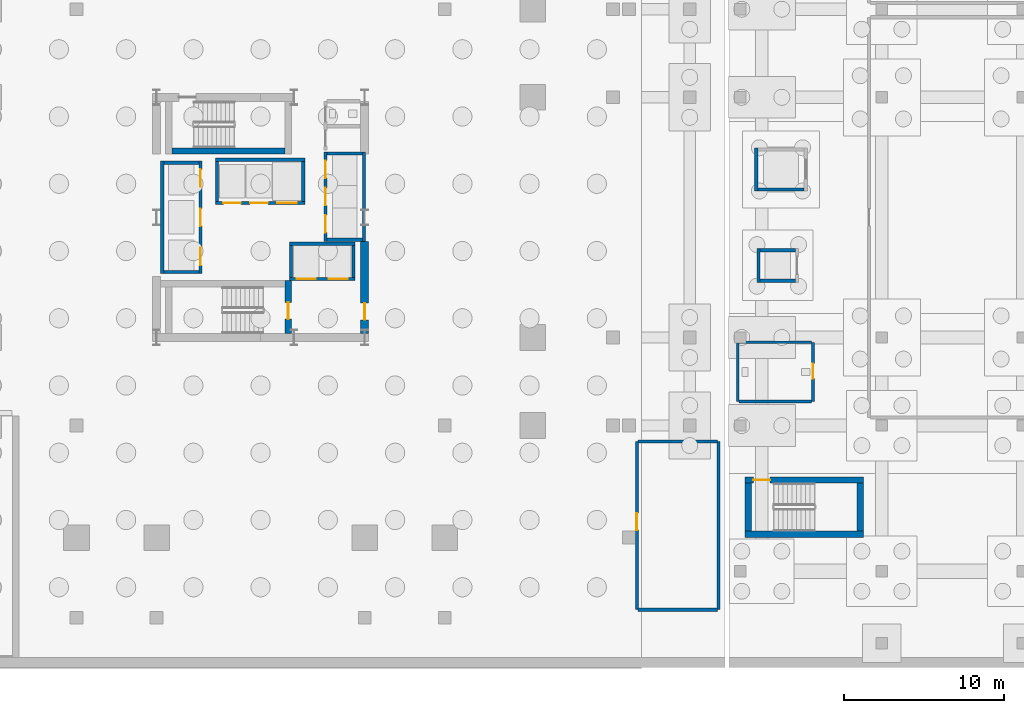
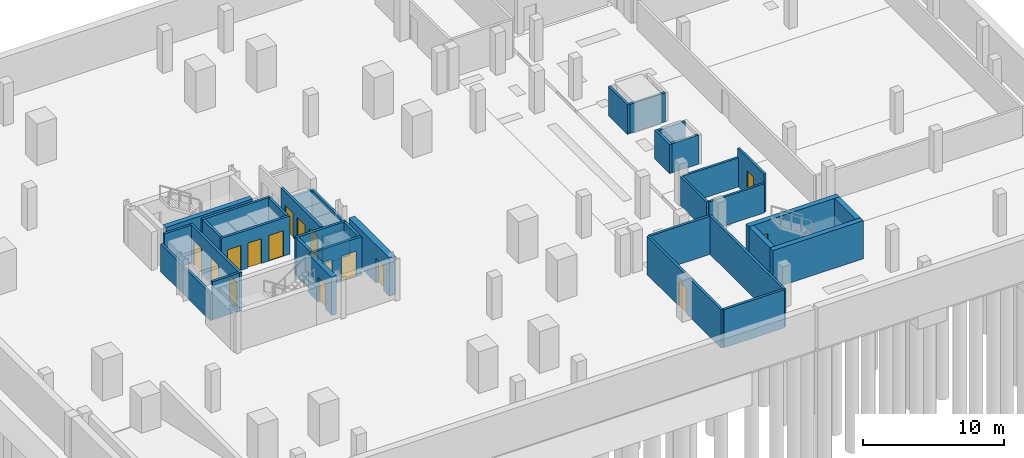
# One storey, part 5 of 13: 36 walls, 16 doors, 16 openings.
"""IFC4 building model written with IfcOpenShell, lengths in metres."""

from ifc_helpers import new_model, si_unit, direction, frame, frame_2d, origin, place, context, subcontext, project, spatial, rectangle, extrude, material, layer, layer_set, type_object, element, fill, save


model = new_model("IFC4")

# Units and contexts
model_context = context("Model", 3, precision=1e-05, world=origin(), true_north=direction((0.0, 1.0)))
body_context = subcontext(model_context, "Body", "Model", "MODEL_VIEW")
ifc_project = project(units=[si_unit("LENGTHUNIT", "METRE"), si_unit("AREAUNIT", "SQUARE_METRE"), si_unit("VOLUMEUNIT", "CUBIC_METRE"), si_unit("PLANEANGLEUNIT", "RADIAN"), si_unit("MASSUNIT", "GRAM", prefix="KILO")], contexts=[model_context])

# Site, building, storey
site_placement = place(None, origin())
site = spatial("IfcSite", under=ifc_project, at=site_placement, CompositionType="ELEMENT")
building_placement = place(site_placement, origin())
building = spatial("IfcBuilding", under=site, at=building_placement, Name="Barlavira Tower and Art Museum", CompositionType="ELEMENT")
storey_placement = place(building_placement, frame((0.0, 0.0, -7.199951171875)))
storey = spatial("IfcBuildingStorey", under=building, at=storey_placement, Name="B02", CompositionType="ELEMENT", Elevation=-7.199951171875)

# Wall, opening, door
ifc_material_1 = material(Name="Concrete C60", Category="concrete")
ifc_layer_1 = layer(ifc_material_1, 0.5, Name="Concrete C60")
ifc_layer_set_1 = layer_set([ifc_layer_1], Name="Concrete C60")
wall_type_1 = type_object("IfcWallType", Name="Core Structural Shear Wall 500 Concrete C60", PredefinedType="SHEAR", material=ifc_layer_set_1)
wall_1_placement = place(storey_placement, frame((6.5, -7.25, 0.0), z_axis=(0.0, 0.0, 1.0), x_axis=(0.0, 1.0, 0.0)))
wall_1 = element("IfcWall", 1, at=wall_1_placement, inside=storey, type_object=wall_type_1, Name="B02 Core Shear Wall CS-E1", PredefinedType="SHEAR", context=body_context, shape_type="SweptSolid", body=[
    extrude(rectangle(XDim=5.75, YDim=0.5, at=frame_2d((2.875, 0.0))), origin(), (0.0, 0.0, 1.0), 3.300048828125),
])
opening_1_placement = place(wall_1_placement, frame((0.85009765625, 0.0, 0.0)))
opening_1 = element("IfcOpeningElement", 2, at=opening_1_placement, cuts=wall_1, Name="Opening FD-90", PredefinedType="OPENING", context=body_context, shape_type="SweptSolid", body=[
    extrude(rectangle(XDim=1.050048828125, YDim=2.14990234375, at=frame_2d((0.52490234375, 1.074951171875))), frame((0.0, 0.260009765625, 0.0), z_axis=(0.0, -1.0, 0.0), x_axis=(1.0, 0.0, 0.0)), (0.0, 0.0, 1.0), 0.52001953125),
])
ifc_material_2 = material(Name="Brushed stainless steel", Category="steel")
door_type_1 = type_object("IfcDoorType", Name="Stair and Refuge Fire Door 1050x2150 FD90S", OperationType="NOTDEFINED", PredefinedType="DOOR", material=ifc_material_2)
door_1_placement = place(opening_1_placement, origin())
door_1 = element("IfcDoor", 3, at=door_1_placement, inside=storey, type_object=door_type_1, Name="B02 Firefighting Lobby Entry Fire Door", OperationType="SINGLE_SWING_LEFT", OverallHeight=2.14990234375, OverallWidth=1.050048828125, PredefinedType="DOOR", context=body_context, shape_type="SweptSolid", body=[
    extrude(rectangle(XDim=1.050048828125, YDim=2.14990234375, at=frame_2d((0.52490234375, 1.074951171875))), frame((0.0, 0.02490234375, 0.0), z_axis=(0.0, -1.0, 0.0), x_axis=(1.0, 0.0, 0.0)), (0.0, 0.0, 1.0), 0.050048828125),
])
fill(opening_1, door_1)

# Wall, openings, doors
ifc_material_3 = material(Name="Autoclaved aerated concrete masonry", Category="masonry")
ifc_layer_2 = layer(ifc_material_3, 0.199951171875, Name="Autoclaved aerated concrete masonry")
ifc_layer_set_2 = layer_set([ifc_layer_2], Name="Autoclaved aerated concrete masonry")
wall_type_2 = type_object("IfcWallType", Name="Fire Compartment and Shaft Wall 200", PredefinedType="SOLIDWALL", material=ifc_layer_set_2)
wall_2_placement = place(storey_placement, frame((-3.75, -3.510009765625, 0.0), z_axis=(0.0, 0.0, 1.0), x_axis=(0.0, 1.0, 0.0)))
wall_2 = element("IfcWall", 4, at=wall_2_placement, inside=storey, type_object=wall_type_2, Name="B02 Low-Rise Lift Front Shaft Wall", PredefinedType="SOLIDWALL", context=body_context, shape_type="SweptSolid", body=[
    extrude(rectangle(XDim=7.02001953125, YDim=0.199951171875, at=frame_2d((3.510009765625, 0.0))), origin(), (0.0, 0.0, 1.0), 3.300048828125),
])
opening_2_placement = place(wall_2_placement, frame((0.510009765625, 0.0, 0.0)))
opening_2 = element("IfcOpeningElement", 5, at=opening_2_placement, cuts=wall_2, Name="Opening LD-P", PredefinedType="OPENING", context=body_context, shape_type="SweptSolid", body=[
    extrude(rectangle(XDim=1.10009765625, YDim=2.14990234375, at=frame_2d((0.550048828125, 1.074951171875))), frame((0.0, 0.10986328125, 0.0), z_axis=(0.0, -1.0, 0.0), x_axis=(1.0, 0.0, 0.0)), (0.0, 0.0, 1.0), 0.219970703125),
])
opening_3_placement = place(wall_2_placement, frame((2.9599609375, 0.0, 0.0)))
opening_3 = element("IfcOpeningElement", 6, at=opening_3_placement, cuts=wall_2, Name="Opening LD-P", PredefinedType="OPENING", context=body_context, shape_type="SweptSolid", body=[
    extrude(rectangle(XDim=1.10009765625, YDim=2.14990234375, at=frame_2d((0.550048828125, 1.074951171875))), frame((0.0, 0.10986328125, 0.0), z_axis=(0.0, -1.0, 0.0), x_axis=(1.0, 0.0, 0.0)), (0.0, 0.0, 1.0), 0.219970703125),
])
opening_4_placement = place(wall_2_placement, frame((5.409912109375, 0.0, 0.0)))
opening_4 = element("IfcOpeningElement", 7, at=opening_4_placement, cuts=wall_2, Name="Opening LD-P", PredefinedType="OPENING", context=body_context, shape_type="SweptSolid", body=[
    extrude(rectangle(XDim=1.10009765625, YDim=2.14990234375, at=frame_2d((0.550048828125, 1.074951171875))), frame((0.0, 0.10986328125, 0.0), z_axis=(0.0, -1.0, 0.0), x_axis=(1.0, 0.0, 0.0)), (0.0, 0.0, 1.0), 0.219970703125),
])
door_type_2 = type_object("IfcDoorType", Name="Passenger Lift Sliding Landing Door 1100x2150 FD60", OperationType="NOTDEFINED", PredefinedType="DOOR", material=ifc_material_2)
door_2_placement = place(opening_2_placement, origin())
door_2 = element("IfcDoor", 8, at=door_2_placement, inside=storey, type_object=door_type_2, Name="B02 Lift PL1 Sliding Landing Door", OperationType="DOUBLE_DOOR_SLIDING", OverallHeight=2.14990234375, OverallWidth=1.10009765625, PredefinedType="DOOR", context=body_context, shape_type="SweptSolid", body=[
    extrude(rectangle(XDim=1.10009765625, YDim=2.14990234375, at=frame_2d((0.550048828125, 1.074951171875))), frame((0.0, 0.02490234375, 0.0), z_axis=(0.0, -1.0, 0.0), x_axis=(1.0, 0.0, 0.0)), (0.0, 0.0, 1.0), 0.050048828125),
])
fill(opening_2, door_2)
door_3_placement = place(opening_3_placement, origin())
door_3 = element("IfcDoor", 9, at=door_3_placement, inside=storey, type_object=door_type_2, Name="B02 Lift PL2 Sliding Landing Door", OperationType="DOUBLE_DOOR_SLIDING", OverallHeight=2.14990234375, OverallWidth=1.10009765625, PredefinedType="DOOR", context=body_context, shape_type="SweptSolid", body=[
    extrude(rectangle(XDim=1.10009765625, YDim=2.14990234375, at=frame_2d((0.550048828125, 1.074951171875))), frame((0.0, 0.02490234375, 0.0), z_axis=(0.0, -1.0, 0.0), x_axis=(1.0, 0.0, 0.0)), (0.0, 0.0, 1.0), 0.050048828125),
])
fill(opening_3, door_3)
door_4_placement = place(opening_4_placement, origin())
door_4 = element("IfcDoor", 10, at=door_4_placement, inside=storey, type_object=door_type_2, Name="B02 Lift PL3 Sliding Landing Door", OperationType="DOUBLE_DOOR_SLIDING", OverallHeight=2.14990234375, OverallWidth=1.10009765625, PredefinedType="DOOR", context=body_context, shape_type="SweptSolid", body=[
    extrude(rectangle(XDim=1.10009765625, YDim=2.14990234375, at=frame_2d((0.550048828125, 1.074951171875))), frame((0.0, 0.02490234375, 0.0), z_axis=(0.0, -1.0, 0.0), x_axis=(1.0, 0.0, 0.0)), (0.0, 0.0, 1.0), 0.050048828125),
])
fill(opening_4, door_4)

# Walls
wall_3_placement = place(storey_placement, frame((-6.14990234375, -3.510009765625, 0.0), z_axis=(0.0, 0.0, 1.0), x_axis=(0.0, 1.0, 0.0)))
element("IfcWall", 11, at=wall_3_placement, inside=storey, type_object=wall_type_2, Name="B02 Low-Rise Lift Back Shaft Wall", PredefinedType="SOLIDWALL", context=body_context, shape_type="SweptSolid", body=[
    extrude(rectangle(XDim=7.02001953125, YDim=0.199951171875, at=frame_2d((3.510009765625, 0.0))), origin(), (0.0, 0.0, 1.0), 2.385009765625),
])
for number, where, z_axis, x_axis, name in (
    (12, (-6.050048828125, -3.409912109375, 0.0), (0.0, 0.0, 1.0), (1.0, 0.0, 0.0), "B02 Low-Rise Lift South Shaft Wall"),
    (13, (-6.050048828125, 3.409912109375, 0.0), (0.0, 0.0, 1.0), (1.0, 0.0, 0.0), "B02 Low-Rise Lift North Shaft Wall"),
):
    element("IfcWall", number, at=place(storey_placement, frame(where, z_axis=z_axis, x_axis=x_axis)), inside=storey, type_object=wall_type_2, Name=name, PredefinedType="SOLIDWALL", context=body_context, shape_type="SweptSolid", body=[
        extrude(rectangle(XDim=2.199951171875, YDim=0.199951171875, at=frame_2d((1.10009765625, 0.0))), origin(), (0.0, 0.0, 1.0), 3.300048828125),
    ])

# Wall, openings, doors
wall_4_placement = place(storey_placement, frame((4.050048828125, -1.489990234375, 0.0), z_axis=(0.0, 0.0, 1.0), x_axis=(0.0, 1.0, 0.0)))
wall_4 = element("IfcWall", 14, at=wall_4_placement, inside=storey, type_object=wall_type_2, Name="B02 Mid-Rise Lift Front Shaft Wall", PredefinedType="SOLIDWALL", context=body_context, shape_type="SweptSolid", body=[
    extrude(rectangle(XDim=5.580078125, YDim=0.199951171875, at=frame_2d((2.7900390625, 0.0))), origin(), (0.0, 0.0, 1.0), 3.300048828125),
])
opening_5_placement = place(wall_4_placement, frame((0.5400390625, 0.0, 0.0)))
opening_5 = element("IfcOpeningElement", 15, at=opening_5_placement, cuts=wall_4, Name="Opening LD-P", PredefinedType="OPENING", context=body_context, shape_type="SweptSolid", body=[
    extrude(rectangle(XDim=1.10009765625, YDim=2.14990234375, at=frame_2d((0.550048828125, 1.074951171875))), frame((0.0, 0.10986328125, 0.0), z_axis=(0.0, -1.0, 0.0), x_axis=(1.0, 0.0, 0.0)), (0.0, 0.0, 1.0), 0.219970703125),
])
opening_6_placement = place(wall_4_placement, frame((2.239990234375, 0.0, 0.0)))
opening_6 = element("IfcOpeningElement", 16, at=opening_6_placement, cuts=wall_4, Name="Opening LD-P", PredefinedType="OPENING", context=body_context, shape_type="SweptSolid", body=[
    extrude(rectangle(XDim=1.10009765625, YDim=2.14990234375, at=frame_2d((0.550048828125, 1.074951171875))), frame((0.0, 0.10986328125, 0.0), z_axis=(0.0, -1.0, 0.0), x_axis=(1.0, 0.0, 0.0)), (0.0, 0.0, 1.0), 0.219970703125),
])
opening_7_placement = place(wall_4_placement, frame((3.93994140625, 0.0, 0.0)))
opening_7 = element("IfcOpeningElement", 17, at=opening_7_placement, cuts=wall_4, Name="Opening LD-P", PredefinedType="OPENING", context=body_context, shape_type="SweptSolid", body=[
    extrude(rectangle(XDim=1.10009765625, YDim=2.14990234375, at=frame_2d((0.550048828125, 1.074951171875))), frame((0.0, 0.10986328125, 0.0), z_axis=(0.0, -1.0, 0.0), x_axis=(1.0, 0.0, 0.0)), (0.0, 0.0, 1.0), 0.219970703125),
])
door_5_placement = place(opening_5_placement, origin())
door_5 = element("IfcDoor", 18, at=door_5_placement, inside=storey, type_object=door_type_2, Name="B02 Lift PM1 Sliding Landing Door", OperationType="DOUBLE_DOOR_SLIDING", OverallHeight=2.14990234375, OverallWidth=1.10009765625, PredefinedType="DOOR", context=body_context, shape_type="SweptSolid", body=[
    extrude(rectangle(XDim=1.10009765625, YDim=2.14990234375, at=frame_2d((0.550048828125, 1.074951171875))), frame((0.0, 0.02490234375, 0.0), z_axis=(0.0, -1.0, 0.0), x_axis=(1.0, 0.0, 0.0)), (0.0, 0.0, 1.0), 0.050048828125),
])
fill(opening_5, door_5)
door_6_placement = place(opening_6_placement, origin())
door_6 = element("IfcDoor", 19, at=door_6_placement, inside=storey, type_object=door_type_2, Name="B02 Lift PM2 Sliding Landing Door", OperationType="DOUBLE_DOOR_SLIDING", OverallHeight=2.14990234375, OverallWidth=1.10009765625, PredefinedType="DOOR", context=body_context, shape_type="SweptSolid", body=[
    extrude(rectangle(XDim=1.10009765625, YDim=2.14990234375, at=frame_2d((0.550048828125, 1.074951171875))), frame((0.0, 0.02490234375, 0.0), z_axis=(0.0, -1.0, 0.0), x_axis=(1.0, 0.0, 0.0)), (0.0, 0.0, 1.0), 0.050048828125),
])
fill(opening_6, door_6)
door_7_placement = place(opening_7_placement, origin())
door_7 = element("IfcDoor", 20, at=door_7_placement, inside=storey, type_object=door_type_2, Name="B02 Lift PM3 Sliding Landing Door", OperationType="DOUBLE_DOOR_SLIDING", OverallHeight=2.14990234375, OverallWidth=1.10009765625, PredefinedType="DOOR", context=body_context, shape_type="SweptSolid", body=[
    extrude(rectangle(XDim=1.10009765625, YDim=2.14990234375, at=frame_2d((0.550048828125, 1.074951171875))), frame((0.0, 0.02490234375, 0.0), z_axis=(0.0, -1.0, 0.0), x_axis=(1.0, 0.0, 0.0)), (0.0, 0.0, 1.0), 0.050048828125),
])
fill(opening_7, door_7)

# Walls
wall_5_placement = place(storey_placement, frame((6.449951171875, -1.489990234375, 0.0), z_axis=(0.0, 0.0, 1.0), x_axis=(0.0, 1.0, 0.0)))
element("IfcWall", 21, at=wall_5_placement, inside=storey, type_object=wall_type_2, Name="B02 Mid-Rise Lift Back Shaft Wall", PredefinedType="SOLIDWALL", context=body_context, shape_type="SweptSolid", body=[
    extrude(rectangle(XDim=5.580078125, YDim=0.199951171875, at=frame_2d((2.7900390625, 0.0))), origin(), (0.0, 0.0, 1.0), 2.385009765625),
])
for number, where, z_axis, x_axis, name in (
    (22, (4.14990234375, -1.389892578125, 0.0), (0.0, 0.0, 1.0), (1.0, 0.0, 0.0), "B02 Mid-Rise Lift South Shaft Wall"),
    (23, (4.14990234375, 3.989990234375, 0.0), (0.0, 0.0, 1.0), (1.0, 0.0, 0.0), "B02 Mid-Rise Lift North Shaft Wall"),
):
    element("IfcWall", number, at=place(storey_placement, frame(where, z_axis=z_axis, x_axis=x_axis)), inside=storey, type_object=wall_type_2, Name=name, PredefinedType="SOLIDWALL", context=body_context, shape_type="SweptSolid", body=[
        extrude(rectangle(XDim=2.2001953125, YDim=0.199951171875, at=frame_2d((1.10009765625, 0.0))), origin(), (0.0, 0.0, 1.0), 2.385009765625),
    ])

# Wall, openings, doors
wall_6_placement = place(storey_placement, frame((-2.820068359375, 0.89990234375, 0.0), z_axis=(0.0, 0.0, 1.0), x_axis=(1.0, 0.0, 0.0)))
wall_6 = element("IfcWall", 24, at=wall_6_placement, inside=storey, type_object=wall_type_2, Name="B02 High-Rise & Service Lift Front Wall", PredefinedType="SOLIDWALL", context=body_context, shape_type="SweptSolid", body=[
    extrude(rectangle(XDim=5.580078125, YDim=0.199951171875, at=frame_2d((2.7900390625, 0.0))), origin(), (0.0, 0.0, 1.0), 3.300048828125),
])
opening_8_placement = place(wall_6_placement, frame((0.489990234375, 0.0, 0.0)))
opening_8 = element("IfcOpeningElement", 25, at=opening_8_placement, cuts=wall_6, Name="Opening LD-P", PredefinedType="OPENING", context=body_context, shape_type="SweptSolid", body=[
    extrude(rectangle(XDim=1.10009765625, YDim=2.14990234375, at=frame_2d((0.550048828125, 1.074951171875))), frame((0.0, 0.10986328125, 0.0), z_axis=(0.0, -1.0, 0.0), x_axis=(1.0, 0.0, 0.0)), (0.0, 0.0, 1.0), 0.219970703125),
])
opening_9_placement = place(wall_6_placement, frame((2.169921875, 0.0, 0.0)))
opening_9 = element("IfcOpeningElement", 26, at=opening_9_placement, cuts=wall_6, Name="Opening LD-P", PredefinedType="OPENING", context=body_context, shape_type="SweptSolid", body=[
    extrude(rectangle(XDim=1.10009765625, YDim=2.14990234375, at=frame_2d((0.550048828125, 1.074951171875))), frame((0.0, 0.10986328125, 0.0), z_axis=(0.0, -1.0, 0.0), x_axis=(1.0, 0.0, 0.0)), (0.0, 0.0, 1.0), 0.219970703125),
])
opening_10_placement = place(wall_6_placement, frame((3.860107421875, 0.0, 0.0)))
opening_10 = element("IfcOpeningElement", 27, at=opening_10_placement, cuts=wall_6, Name="Opening LD-F", PredefinedType="OPENING", context=body_context, shape_type="SweptSolid", body=[
    extrude(rectangle(XDim=1.199951171875, YDim=2.199951171875, at=frame_2d((0.60009765625, 1.10009765625))), frame((0.0, 0.10986328125, 0.0), z_axis=(0.0, -1.0, 0.0), x_axis=(1.0, 0.0, 0.0)), (0.0, 0.0, 1.0), 0.219970703125),
])
door_type_3 = type_object("IfcDoorType", Name="Firefighting and Service Lift Sliding Door 1200x2200 FD120", OperationType="NOTDEFINED", PredefinedType="DOOR", material=ifc_material_2)
door_8_placement = place(opening_10_placement, origin())
door_8 = element("IfcDoor", 28, at=door_8_placement, inside=storey, type_object=door_type_3, Name="B02 Stretcher Service Lift SL1 Sliding Door", OperationType="DOUBLE_DOOR_SLIDING", OverallHeight=2.199951171875, OverallWidth=1.199951171875, PredefinedType="DOOR", context=body_context, shape_type="SweptSolid", body=[
    extrude(rectangle(XDim=1.199951171875, YDim=2.199951171875, at=frame_2d((0.60009765625, 1.10009765625))), frame((0.0, 0.02490234375, 0.0), z_axis=(0.0, -1.0, 0.0), x_axis=(1.0, 0.0, 0.0)), (0.0, 0.0, 1.0), 0.050048828125),
])
fill(opening_10, door_8)
door_9_placement = place(opening_8_placement, origin())
door_9 = element("IfcDoor", 29, at=door_9_placement, inside=storey, type_object=door_type_2, Name="B02 Lift PH1 Sliding Landing Door", OperationType="DOUBLE_DOOR_SLIDING", OverallHeight=2.14990234375, OverallWidth=1.10009765625, PredefinedType="DOOR", context=body_context, shape_type="SweptSolid", body=[
    extrude(rectangle(XDim=1.10009765625, YDim=2.14990234375, at=frame_2d((0.550048828125, 1.074951171875))), frame((0.0, 0.02490234375, 0.0), z_axis=(0.0, -1.0, 0.0), x_axis=(1.0, 0.0, 0.0)), (0.0, 0.0, 1.0), 0.050048828125),
])
fill(opening_8, door_9)
door_10_placement = place(opening_9_placement, origin())
door_10 = element("IfcDoor", 30, at=door_10_placement, inside=storey, type_object=door_type_2, Name="B02 Lift PH2 Sliding Landing Door", OperationType="DOUBLE_DOOR_SLIDING", OverallHeight=2.14990234375, OverallWidth=1.10009765625, PredefinedType="DOOR", context=body_context, shape_type="SweptSolid", body=[
    extrude(rectangle(XDim=1.10009765625, YDim=2.14990234375, at=frame_2d((0.550048828125, 1.074951171875))), frame((0.0, 0.02490234375, 0.0), z_axis=(0.0, -1.0, 0.0), x_axis=(1.0, 0.0, 0.0)), (0.0, 0.0, 1.0), 0.050048828125),
])
fill(opening_9, door_10)

# Walls
wall_7_placement = place(storey_placement, frame((-2.820068359375, 3.60009765625, 0.0), z_axis=(0.0, 0.0, 1.0), x_axis=(1.0, 0.0, 0.0)))
element("IfcWall", 31, at=wall_7_placement, inside=storey, type_object=wall_type_2, Name="B02 High-Rise & Service Lift Back Wall", PredefinedType="SOLIDWALL", context=body_context, shape_type="SweptSolid", body=[
    extrude(rectangle(XDim=5.580078125, YDim=0.199951171875, at=frame_2d((2.7900390625, 0.0))), origin(), (0.0, 0.0, 1.0), 3.300048828125),
])
for number, where, z_axis, x_axis, name in (
    (32, (-2.719970703125, 1.0, 0.0), (0.0, 0.0, 1.0), (0.0, 1.0, 0.0), "B02 High-Rise & Service Lift West Wall"),
    (33, (2.659912109375, 1.0, 0.0), (0.0, 0.0, 1.0), (0.0, 1.0, 0.0), "B02 High-Rise & Service Lift East Wall"),
):
    element("IfcWall", number, at=place(storey_placement, frame(where, z_axis=z_axis, x_axis=x_axis)), inside=storey, type_object=wall_type_2, Name=name, PredefinedType="SOLIDWALL", context=body_context, shape_type="SweptSolid", body=[
        extrude(rectangle(XDim=2.5, YDim=0.199951171875, at=frame_2d((1.25, 0.0))), origin(), (0.0, 0.0, 1.0), 3.300048828125),
    ])

# Wall, openings, doors
wall_8_placement = place(storey_placement, frame((1.800048828125, -3.85009765625, 0.0), z_axis=(0.0, 0.0, 1.0), x_axis=(1.0, 0.0, 0.0)))
wall_8 = element("IfcWall", 34, at=wall_8_placement, inside=storey, type_object=wall_type_2, Name="B02 Firefighting Lift Front Shaft Wall", PredefinedType="SOLIDWALL", context=body_context, shape_type="SweptSolid", body=[
    extrude(rectangle(XDim=4.099853515625, YDim=0.199951171875, at=frame_2d((2.0498046875, 0.0))), origin(), (0.0, 0.0, 1.0), 3.300048828125),
])
opening_11_placement = place(wall_8_placement, frame((0.449951171875, 0.0, 0.0)))
opening_11 = element("IfcOpeningElement", 35, at=opening_11_placement, cuts=wall_8, Name="Opening LD-F", PredefinedType="OPENING", context=body_context, shape_type="SweptSolid", body=[
    extrude(rectangle(XDim=1.199951171875, YDim=2.199951171875, at=frame_2d((0.60009765625, 1.10009765625))), frame((0.0, 0.10986328125, 0.0), z_axis=(0.0, -1.0, 0.0), x_axis=(1.0, 0.0, 0.0)), (0.0, 0.0, 1.0), 0.219970703125),
])
opening_12_placement = place(wall_8_placement, frame((2.449951171875, 0.0, 0.0)))
opening_12 = element("IfcOpeningElement", 36, at=opening_12_placement, cuts=wall_8, Name="Opening LD-F", PredefinedType="OPENING", context=body_context, shape_type="SweptSolid", body=[
    extrude(rectangle(XDim=1.199951171875, YDim=2.199951171875, at=frame_2d((0.60009765625, 1.10009765625))), frame((0.0, 0.10986328125, 0.0), z_axis=(0.0, -1.0, 0.0), x_axis=(1.0, 0.0, 0.0)), (0.0, 0.0, 1.0), 0.219970703125),
])
door_11_placement = place(opening_11_placement, origin())
door_11 = element("IfcDoor", 37, at=door_11_placement, inside=storey, type_object=door_type_3, Name="B02 Firefighting Lift FF1 Sliding Door", OperationType="DOUBLE_DOOR_SLIDING", OverallHeight=2.199951171875, OverallWidth=1.199951171875, PredefinedType="DOOR", context=body_context, shape_type="SweptSolid", body=[
    extrude(rectangle(XDim=1.199951171875, YDim=2.199951171875, at=frame_2d((0.60009765625, 1.10009765625))), frame((0.0, 0.02490234375, 0.0), z_axis=(0.0, -1.0, 0.0), x_axis=(1.0, 0.0, 0.0)), (0.0, 0.0, 1.0), 0.050048828125),
])
fill(opening_11, door_11)
door_12_placement = place(opening_12_placement, origin())
door_12 = element("IfcDoor", 38, at=door_12_placement, inside=storey, type_object=door_type_3, Name="B02 Firefighting Lift FF2 Sliding Door", OperationType="DOUBLE_DOOR_SLIDING", OverallHeight=2.199951171875, OverallWidth=1.199951171875, PredefinedType="DOOR", context=body_context, shape_type="SweptSolid", body=[
    extrude(rectangle(XDim=1.199951171875, YDim=2.199951171875, at=frame_2d((0.60009765625, 1.10009765625))), frame((0.0, 0.02490234375, 0.0), z_axis=(0.0, -1.0, 0.0), x_axis=(1.0, 0.0, 0.0)), (0.0, 0.0, 1.0), 0.050048828125),
])
fill(opening_12, door_12)

# Walls
wall_9_placement = place(storey_placement, frame((1.800048828125, -1.64990234375, 0.0), z_axis=(0.0, 0.0, 1.0), x_axis=(1.0, 0.0, 0.0)))
element("IfcWall", 39, at=wall_9_placement, inside=storey, type_object=wall_type_2, Name="B02 Firefighting Lift Back Shaft Wall", PredefinedType="SOLIDWALL", context=body_context, shape_type="SweptSolid", body=[
    extrude(rectangle(XDim=4.099853515625, YDim=0.199951171875, at=frame_2d((2.0498046875, 0.0))), origin(), (0.0, 0.0, 1.0), 3.300048828125),
])
for number, where, z_axis, x_axis, name in (
    (40, (1.89990234375, -3.75, 0.0), (0.0, 0.0, 1.0), (0.0, 1.0, 0.0), "B02 Firefighting Lift West Shaft Wall"),
    (41, (5.800048828125, -3.75, 0.0), (0.0, 0.0, 1.0), (0.0, 1.0, 0.0), "B02 Firefighting Lift East Shaft Wall"),
):
    element("IfcWall", number, at=place(storey_placement, frame(where, z_axis=z_axis, x_axis=x_axis)), inside=storey, type_object=wall_type_2, Name=name, PredefinedType="SOLIDWALL", context=body_context, shape_type="SweptSolid", body=[
        extrude(rectangle(XDim=2.0, YDim=0.199951171875, at=frame_2d((1.0, 0.0))), origin(), (0.0, 0.0, 1.0), 3.300048828125),
    ])
wall_10_placement = place(storey_placement, frame((31.10009765625, -4.050048828125, 0.0), z_axis=(0.0, 0.0, 1.0), x_axis=(0.0, 1.0, 0.0)))
element("IfcWall", 42, at=wall_10_placement, inside=storey, type_object=wall_type_2, Name="B02 Museum Lift ML1 Back Wall", PredefinedType="SOLIDWALL", context=body_context, shape_type="SweptSolid", body=[
    extrude(rectangle(XDim=2.10009765625, YDim=0.199951171875, at=frame_2d((1.050048828125, 0.0))), origin(), (0.0, 0.0, 1.0), 2.516845703125),
])
for number, where, z_axis, x_axis, name in (
    (43, (31.199951171875, -3.949951171875, 0.0), (0.0, 0.0, 1.0), (1.0, 0.0, 0.0), "B02 Museum Lift ML1 South Wall"),
    (44, (31.199951171875, -2.050048828125, 0.0), (0.0, 0.0, 1.0), (1.0, 0.0, 0.0), "B02 Museum Lift ML1 North Wall"),
):
    element("IfcWall", number, at=place(storey_placement, frame(where, z_axis=z_axis, x_axis=x_axis)), inside=storey, type_object=wall_type_2, Name=name, PredefinedType="SOLIDWALL", context=body_context, shape_type="SweptSolid", body=[
        extrude(rectangle(XDim=2.199951171875, YDim=0.199951171875, at=frame_2d((1.10009765625, 0.0))), origin(), (0.0, 0.0, 1.0), 2.516845703125),
    ])
wall_11_placement = place(storey_placement, frame((30.949951171875, 1.64990234375, 0.0), z_axis=(0.0, 0.0, 1.0), x_axis=(0.0, 1.0, 0.0)))
element("IfcWall", 45, at=wall_11_placement, inside=storey, type_object=wall_type_2, Name="B02 Museum Lift MG1 Back Wall", PredefinedType="SOLIDWALL", context=body_context, shape_type="SweptSolid", body=[
    extrude(rectangle(XDim=2.7001953125, YDim=0.199951171875, at=frame_2d((1.35009765625, 0.0))), origin(), (0.0, 0.0, 1.0), 2.516845703125),
])
wall_12_placement = place(storey_placement, frame((31.050048828125, 1.75, 0.0), z_axis=(0.0, 0.0, 1.0), x_axis=(1.0, 0.0, 0.0)))
element("IfcWall", 46, at=wall_12_placement, inside=storey, type_object=wall_type_2, Name="B02 Museum Lift MG1 South Wall", PredefinedType="SOLIDWALL", context=body_context, shape_type="SweptSolid", body=[
    extrude(rectangle(XDim=2.89990234375, YDim=0.199951171875, at=frame_2d((1.449951171875, 0.0))), origin(), (0.0, 0.0, 1.0), 2.516845703125),
])

# Wall, opening, door
wall_13_placement = place(storey_placement, frame((23.5, -24.5, 0.0), z_axis=(0.0, 0.0, 1.0), x_axis=(0.0, 1.0, 0.0)))
wall_13 = element("IfcWall", 47, at=wall_13_placement, inside=storey, type_object=wall_type_2, Name="B02 Partition Wall 2", PredefinedType="SOLIDWALL", context=body_context, shape_type="SweptSolid", body=[
    extrude(rectangle(XDim=10.5, YDim=0.199951171875, at=frame_2d((5.25, 0.0))), origin(), (0.0, 0.0, 1.0), 3.300048828125),
])
opening_13_placement = place(wall_13_placement, frame((4.97509765625, 0.0, 0.0)))
opening_13 = element("IfcOpeningElement", 48, at=opening_13_placement, cuts=wall_13, Name="Opening FD-90", PredefinedType="OPENING", context=body_context, shape_type="SweptSolid", body=[
    extrude(rectangle(XDim=1.050048828125, YDim=2.14990234375, at=frame_2d((0.52490234375, 1.074951171875))), frame((0.0, 0.10986328125, 0.0), z_axis=(0.0, -1.0, 0.0), x_axis=(1.0, 0.0, 0.0)), (0.0, 0.0, 1.0), 0.219970703125),
])
door_13_placement = place(opening_13_placement, origin())
door_13 = element("IfcDoor", 49, at=door_13_placement, inside=storey, type_object=door_type_1, Name="B02 Fire Pump and Sprinkler Tank Room Door", OperationType="SINGLE_SWING_LEFT", OverallHeight=2.14990234375, OverallWidth=1.050048828125, PredefinedType="DOOR", context=body_context, shape_type="SweptSolid", body=[
    extrude(rectangle(XDim=1.050048828125, YDim=2.14990234375, at=frame_2d((0.52490234375, 1.074951171875))), frame((0.0, 0.02490234375, 0.0), z_axis=(0.0, -1.0, 0.0), x_axis=(1.0, 0.0, 0.0)), (0.0, 0.0, 1.0), 0.050048828125),
])
fill(opening_13, door_13)

# Walls
wall_14_placement = place(storey_placement, frame((28.60009765625, -24.5, 0.0), z_axis=(0.0, 0.0, 1.0), x_axis=(0.0, 1.0, 0.0)))
element("IfcWall", 50, at=wall_14_placement, inside=storey, type_object=wall_type_2, Name="B02 Partition Wall 4", PredefinedType="SOLIDWALL", context=body_context, shape_type="SweptSolid", body=[
    extrude(rectangle(XDim=10.5, YDim=0.199951171875, at=frame_2d((5.25, 0.0))), origin(), (0.0, 0.0, 1.0), 3.300048828125),
])
for number, where, z_axis, x_axis, name in (
    (51, (23.580078125, -24.5, 0.0), (0.0, 0.0, 1.0), (1.0, 0.0, 0.0), "B02 Partition Wall 12"),
    (52, (23.580078125, -14.0, 0.0), (0.0, 0.0, 1.0), (1.0, 0.0, 0.0), "B02 Partition Wall 13"),
):
    element("IfcWall", number, at=place(storey_placement, frame(where, z_axis=z_axis, x_axis=x_axis)), inside=storey, type_object=wall_type_2, Name=name, PredefinedType="SOLIDWALL", context=body_context, shape_type="SweptSolid", body=[
        extrude(rectangle(XDim=4.93994140625, YDim=0.199951171875, at=frame_2d((2.469970703125, 0.0))), origin(), (0.0, 0.0, 1.0), 3.300048828125),
    ])
ifc_material_4 = material(Name="Gypsum acoustic stud partition", Category="gypsum")
ifc_layer_3 = layer(ifc_material_4, 0.179931640625, Name="Gypsum acoustic stud partition")
ifc_layer_set_3 = layer_set([ifc_layer_3], Name="Gypsum acoustic stud partition")
wall_type_3 = type_object("IfcWallType", Name="Inter-Tenancy Party Partition Wall 180", PredefinedType="PARTITIONING", material=ifc_layer_set_3)
wall_15_placement = place(storey_placement, frame((29.800048828125, -11.5, 0.0), z_axis=(0.0, 0.0, 1.0), x_axis=(0.0, 1.0, 0.0)))
element("IfcWall", 53, at=wall_15_placement, inside=storey, type_object=wall_type_3, Name="B02 Partition Wall 6", PredefinedType="PARTITIONING", context=body_context, shape_type="SweptSolid", body=[
    extrude(rectangle(XDim=3.699951171875, YDim=0.179931640625, at=frame_2d((1.85009765625, 0.0))), origin(), (0.0, 0.0, 1.0), 2.516845703125),
])

# Wall, opening, door
wall_16_placement = place(storey_placement, frame((34.5, -11.5, 0.0), z_axis=(0.0, 0.0, 1.0), x_axis=(0.0, 1.0, 0.0)))
wall_16 = element("IfcWall", 54, at=wall_16_placement, inside=storey, type_object=wall_type_3, Name="B02 Partition Wall 7", PredefinedType="PARTITIONING", context=body_context, shape_type="SweptSolid", body=[
    extrude(rectangle(XDim=3.699951171875, YDim=0.179931640625, at=frame_2d((1.85009765625, 0.0))), origin(), (0.0, 0.0, 1.0), 3.300048828125),
])
opening_14_placement = place(wall_16_placement, frame((1.425048828125, 0.0, 0.0)))
opening_14 = element("IfcOpeningElement", 55, at=opening_14_placement, cuts=wall_16, Name="Opening FD-60", PredefinedType="OPENING", context=body_context, shape_type="SweptSolid", body=[
    extrude(rectangle(XDim=0.949951171875, YDim=2.14990234375, at=frame_2d((0.47509765625, 1.074951171875))), frame((0.0, 0.10009765625, 0.0), z_axis=(0.0, -1.0, 0.0), x_axis=(1.0, 0.0, 0.0)), (0.0, 0.0, 1.0), 0.199951171875),
])
door_type_4 = type_object("IfcDoorType", Name="Apartment Entrance and Riser Fire Door 950x2150 FD60S", OperationType="NOTDEFINED", PredefinedType="DOOR", material=ifc_material_2)
door_14_placement = place(opening_14_placement, origin())
door_14 = element("IfcDoor", 56, at=door_14_placement, inside=storey, type_object=door_type_4, Name="B02 Car-Park Accessible Restroom Door", OperationType="SINGLE_SWING_LEFT", OverallHeight=2.14990234375, OverallWidth=0.949951171875, PredefinedType="DOOR", context=body_context, shape_type="SweptSolid", body=[
    extrude(rectangle(XDim=0.949951171875, YDim=2.14990234375, at=frame_2d((0.47509765625, 1.074951171875))), frame((0.0, 0.02490234375, 0.0), z_axis=(0.0, -1.0, 0.0), x_axis=(1.0, 0.0, 0.0)), (0.0, 0.0, 1.0), 0.050048828125),
])
fill(opening_14, door_14)

# Walls
for number, where, z_axis, x_axis, name in (
    (57, (29.8798828125, -11.5, 0.0), (0.0, 0.0, 1.0), (1.0, 0.0, 0.0), "B02 Partition Wall 15"),
    (58, (29.8798828125, -7.800048828125, 0.0), (0.0, 0.0, 1.0), (1.0, 0.0, 0.0), "B02 Partition Wall 16"),
):
    element("IfcWall", number, at=place(storey_placement, frame(where, z_axis=z_axis, x_axis=x_axis)), inside=storey, type_object=wall_type_3, Name=name, PredefinedType="PARTITIONING", context=body_context, shape_type="SweptSolid", body=[
        extrude(rectangle(XDim=4.5400390625, YDim=0.179931640625, at=frame_2d((2.27001953125, 0.0))), origin(), (0.0, 0.0, 1.0), 2.516845703125),
    ])

# Wall, opening, door
ifc_material_5 = material(Name="Concrete C55", Category="concrete")
ifc_layer_4 = layer(ifc_material_5, 0.39990234375, Name="Concrete C55")
ifc_layer_set_4 = layer_set([ifc_layer_4], Name="Concrete C55")
wall_type_4 = type_object("IfcWallType", Name="Upper Core Shear Wall 400 Concrete C55", PredefinedType="SHEAR", material=ifc_layer_set_4)
wall_17_placement = place(storey_placement, frame((1.72998046875, -7.25, 0.0), z_axis=(0.0, 0.0, 1.0), x_axis=(0.0, 1.0, 0.0)))
wall_17 = element("IfcWall", 59, at=wall_17_placement, inside=storey, type_object=wall_type_4, Name="B02 ST-T1 East Landing Wall", PredefinedType="SHEAR", context=body_context, shape_type="SweptSolid", body=[
    extrude(rectangle(XDim=3.300048828125, YDim=0.39990234375, at=frame_2d((1.64990234375, 0.0))), origin(), (0.0, 0.0, 1.0), 3.300048828125),
])
opening_15_placement = place(wall_17_placement, frame((0.89990234375, 0.0, 0.0)))
opening_15 = element("IfcOpeningElement", 60, at=opening_15_placement, cuts=wall_17, Name="Opening FD-90", PredefinedType="OPENING", context=body_context, shape_type="SweptSolid", body=[
    extrude(rectangle(XDim=1.050048828125, YDim=2.14990234375, at=frame_2d((0.52490234375, 1.074951171875))), frame((0.0, 0.2099609375, 0.0), z_axis=(0.0, -1.0, 0.0), x_axis=(1.0, 0.0, 0.0)), (0.0, 0.0, 1.0), 0.419921875),
])
door_15_placement = place(opening_15_placement, origin())
door_15 = element("IfcDoor", 61, at=door_15_placement, inside=storey, type_object=door_type_1, Name="B02 Stair ST-T1 Fire Door", OperationType="SINGLE_SWING_RIGHT", OverallHeight=2.14990234375, OverallWidth=1.050048828125, PredefinedType="DOOR", context=body_context, shape_type="SweptSolid", body=[
    extrude(rectangle(XDim=1.050048828125, YDim=2.14990234375, at=frame_2d((0.52490234375, 1.074951171875))), frame((0.0, 0.02490234375, 0.0), z_axis=(0.0, -1.0, 0.0), x_axis=(1.0, 0.0, 0.0)), (0.0, 0.0, 1.0), 0.050048828125),
])
fill(opening_15, door_15)

# Walls
wall_18_placement = place(storey_placement, frame((-5.550048828125, 4.14990234375, 0.0), z_axis=(0.0, 0.0, 1.0), x_axis=(1.0, 0.0, 0.0)))
element("IfcWall", 62, at=wall_18_placement, inside=storey, type_object=wall_type_4, Name="B02 ST-T2 South Shaft Wall", PredefinedType="SHEAR", context=body_context, shape_type="SweptSolid", body=[
    extrude(rectangle(XDim=7.080078125, YDim=0.39990234375, at=frame_2d((3.5400390625, 0.0))), origin(), (0.0, 0.0, 1.0), 3.300048828125),
])
wall_19_placement = place(storey_placement, frame((37.64990234375, -19.800048828125, 0.0), z_axis=(0.0, 0.0, 1.0), x_axis=(-1.0, 0.0, 0.0)))
element("IfcWall", 63, at=wall_19_placement, inside=storey, type_object=wall_type_4, Name="B02 ST-M1 South Shaft Wall", PredefinedType="SHEAR", context=body_context, shape_type="SweptSolid", body=[
    extrude(rectangle(XDim=7.39990234375, YDim=0.39990234375, at=frame_2d((3.699951171875, 0.0))), origin(), (0.0, 0.0, 1.0), 3.300048828125),
])
for number, where, z_axis, x_axis, name in (
    (64, (37.449951171875, -19.60009765625, 0.0), (0.0, 0.0, 1.0), (0.0, 1.0, 0.0), "B02 ST-M1 East Half-Landing Wall"),
    (65, (30.449951171875, -19.60009765625, 0.0), (0.0, 0.0, 1.0), (0.0, 1.0, 0.0), "B02 ST-M1 West Shaft Wall"),
):
    element("IfcWall", number, at=place(storey_placement, frame(where, z_axis=z_axis, x_axis=x_axis)), inside=storey, type_object=wall_type_4, Name=name, PredefinedType="SHEAR", context=body_context, shape_type="SweptSolid", body=[
        extrude(rectangle(XDim=3.0, YDim=0.39990234375, at=frame_2d((1.5, 0.0))), origin(), (0.0, 0.0, 1.0), 3.300048828125),
    ])

# Wall, opening, door
wall_20_placement = place(storey_placement, frame((30.25, -16.39990234375, 0.0), z_axis=(0.0, 0.0, 1.0), x_axis=(1.0, 0.0, 0.0)))
wall_20 = element("IfcWall", 66, at=wall_20_placement, inside=storey, type_object=wall_type_4, Name="B02 ST-M1 North Landing Wall", PredefinedType="SHEAR", context=body_context, shape_type="SweptSolid", body=[
    extrude(rectangle(XDim=7.39990234375, YDim=0.39990234375, at=frame_2d((3.699951171875, 0.0))), origin(), (0.0, 0.0, 1.0), 3.300048828125),
])
opening_16_placement = place(wall_20_placement, frame((0.52001953125, 0.0, 0.0)))
opening_16 = element("IfcOpeningElement", 67, at=opening_16_placement, cuts=wall_20, Name="Opening FD-90", PredefinedType="OPENING", context=body_context, shape_type="SweptSolid", body=[
    extrude(rectangle(XDim=1.050048828125, YDim=2.14990234375, at=frame_2d((0.52490234375, 1.074951171875))), frame((0.0, 0.2099609375, 0.0), z_axis=(0.0, -1.0, 0.0), x_axis=(1.0, 0.0, 0.0)), (0.0, 0.0, 1.0), 0.419921875),
])
door_16_placement = place(opening_16_placement, origin())
door_16 = element("IfcDoor", 68, at=door_16_placement, inside=storey, type_object=door_type_1, Name="B02 Museum South Stair ST-M1 Fire Door", OperationType="SINGLE_SWING_LEFT", OverallHeight=2.14990234375, OverallWidth=1.050048828125, PredefinedType="DOOR", context=body_context, shape_type="SweptSolid", body=[
    extrude(rectangle(XDim=1.050048828125, YDim=2.14990234375, at=frame_2d((0.52490234375, 1.074951171875))), frame((0.0, 0.02490234375, 0.0), z_axis=(0.0, -1.0, 0.0), x_axis=(1.0, 0.0, 0.0)), (0.0, 0.0, 1.0), 0.050048828125),
])
fill(opening_16, door_16)

save(model, "model.ifc")
